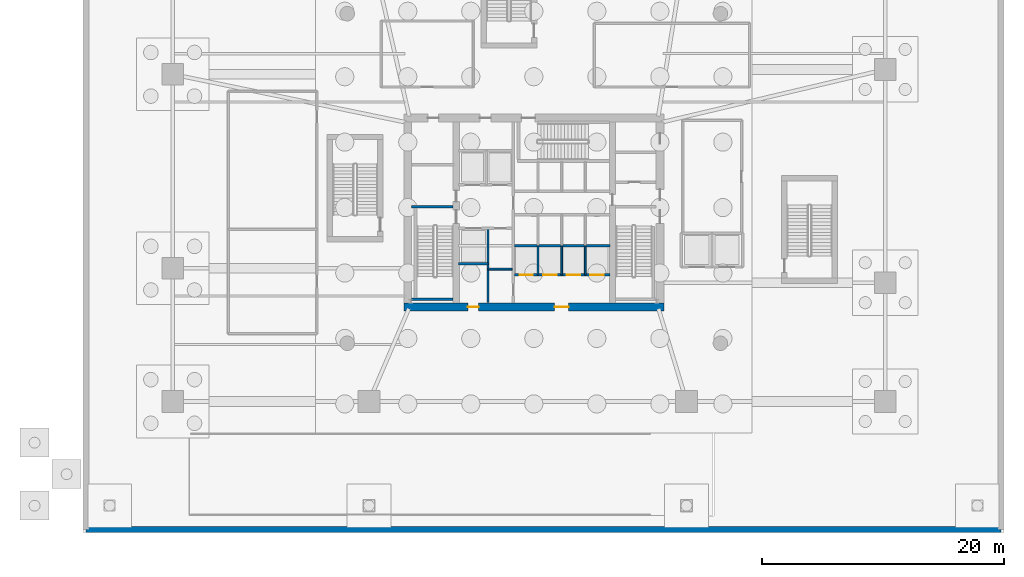
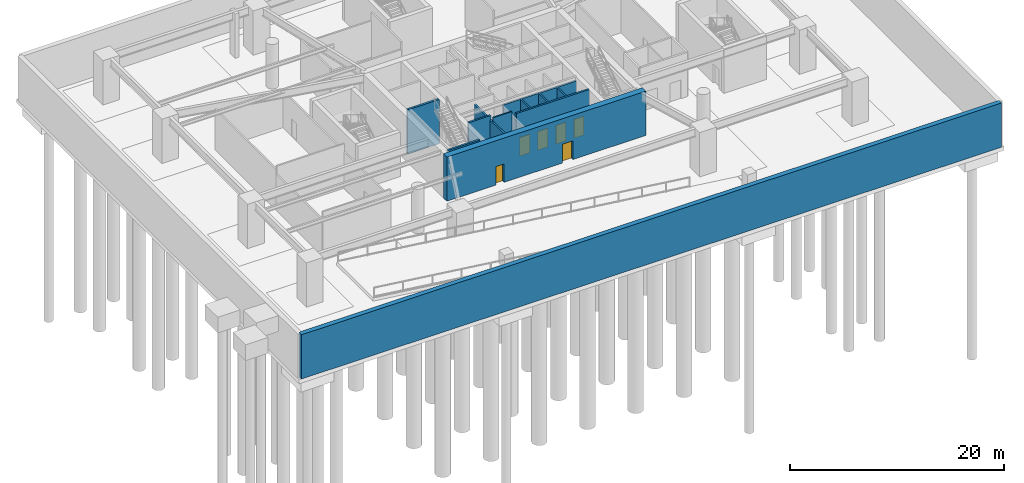
# One storey, part 5 of 11: 12 walls, 6 doors, 6 openings.
"""IFC4 building model written with IfcOpenShell, lengths in metres."""

from ifc_helpers import new_model, si_unit, direction, frame, frame_2d, origin, place, context, subcontext, project, spatial, rectangle, extrude, material, layer, layer_set, type_object, element, fill, save


model = new_model("IFC4")

# Units and contexts
model_context = context("Model", 3, precision=1e-05, world=origin(), true_north=direction((0.0, 1.0)))
body_context = subcontext(model_context, "Body", "Model", "MODEL_VIEW")
ifc_project = project(units=[si_unit("LENGTHUNIT", "METRE"), si_unit("AREAUNIT", "SQUARE_METRE"), si_unit("VOLUMEUNIT", "CUBIC_METRE"), si_unit("PLANEANGLEUNIT", "RADIAN"), si_unit("MASSUNIT", "GRAM", prefix="KILO")], contexts=[model_context])

# Site, building, storey
site_placement = place(None, origin())
site = spatial("IfcSite", under=ifc_project, at=site_placement, CompositionType="ELEMENT")
building_placement = place(site_placement, origin())
building = spatial("IfcBuilding", under=site, at=building_placement, Name="Qarnah Convention Tower", CompositionType="ELEMENT")
storey_placement = place(building_placement, frame((0.0, 0.0, -5.39990234375)))
storey = spatial("IfcBuildingStorey", under=building, at=storey_placement, Name="B1", CompositionType="ELEMENT", Elevation=-5.39990234375)

# Wall, openings, doors
ifc_material_1 = material(Name="Concrete C60/75", Category="concrete")
ifc_layer_1 = layer(ifc_material_1, 0.64990234375)
ifc_layer_set_1 = layer_set([ifc_layer_1], Name="Concrete C60/75")
wall_type_1 = type_object("IfcWallType", Name="WL-CORE-650", PredefinedType="SHEAR", material=ifc_layer_set_1)
wall_1_placement = place(storey_placement, frame((26.47509765625, 18.60009765625, 0.0), z_axis=(0.0, 0.0, 1.0), x_axis=(1.0, 0.0, 0.0)))
wall_1 = element("IfcWall", 1, at=wall_1_placement, inside=storey, type_object=wall_type_1, Name="B1 core south shear wall", PredefinedType="SHEAR", context=body_context, shape_type="SweptSolid", body=[
    extrude(rectangle(XDim=21.449951171875, YDim=0.64990234375, at=frame_2d((10.72509765625, 0.0))), origin(), (0.0, 0.0, 1.0), 5.0498046875),
])
opening_1_placement = place(wall_1_placement, frame((12.449951171875, 0.0, 0.0)))
opening_1 = element("IfcOpeningElement", 2, at=opening_1_placement, cuts=wall_1, Name="Opening D-B107", PredefinedType="OPENING", context=body_context, shape_type="SweptSolid", body=[
    extrude(rectangle(XDim=1.14990234375, YDim=2.14990234375, at=frame_2d((0.574951171875, 1.074951171875))), frame((0.0, 0.3349609375, 0.0), z_axis=(0.0, -1.0, 0.0), x_axis=(1.0, 0.0, 0.0)), (0.0, 0.0, 1.0), 0.669921875),
])
opening_2_placement = place(wall_1_placement, frame((5.27490234375, 0.0, 0.0)))
opening_2 = element("IfcOpeningElement", 3, at=opening_2_placement, cuts=wall_1, Name="Opening D-B113", PredefinedType="OPENING", context=body_context, shape_type="SweptSolid", body=[
    extrude(rectangle(XDim=0.89990234375, YDim=2.10009765625, at=frame_2d((0.449951171875, 1.050048828125))), frame((0.0, 0.3349609375, 0.0), z_axis=(0.0, -1.0, 0.0), x_axis=(1.0, 0.0, 0.0)), (0.0, 0.0, 1.0), 0.669921875),
])
ifc_material_2 = material(Name="Structural steel S355JR", Category="steel")
door_type_1 = type_object("IfcDoorType", Name="DT-LOBBY-1150", OperationType="NOTDEFINED", PredefinedType="DOOR", material=ifc_material_2)
door_1_placement = place(opening_1_placement, origin())
door_1 = element("IfcDoor", 4, at=door_1_placement, inside=storey, type_object=door_type_1, Name="Door D-B107", OperationType="SINGLE_SWING_LEFT", OverallHeight=2.14990234375, OverallWidth=1.14990234375, PredefinedType="DOOR", context=body_context, shape_type="SweptSolid", body=[
    extrude(rectangle(XDim=1.14990234375, YDim=2.14990234375, at=frame_2d((0.574951171875, 1.074951171875))), frame((0.0, 0.02490234375, 0.0), z_axis=(0.0, -1.0, 0.0), x_axis=(1.0, 0.0, 0.0)), (0.0, 0.0, 1.0), 0.050048828125),
])
fill(opening_1, door_1)
door_type_2 = type_object("IfcDoorType", Name="DT-RISER-900", OperationType="NOTDEFINED", PredefinedType="DOOR", material=ifc_material_2)
door_2_placement = place(opening_2_placement, origin())
door_2 = element("IfcDoor", 5, at=door_2_placement, inside=storey, type_object=door_type_2, Name="Door D-B113", OperationType="SINGLE_SWING_LEFT", OverallHeight=2.10009765625, OverallWidth=0.89990234375, PredefinedType="DOOR", context=body_context, shape_type="SweptSolid", body=[
    extrude(rectangle(XDim=0.89990234375, YDim=2.10009765625, at=frame_2d((0.449951171875, 1.050048828125))), frame((0.0, 0.02490234375, 0.0), z_axis=(0.0, -1.0, 0.0), x_axis=(1.0, 0.0, 0.0)), (0.0, 0.0, 1.0), 0.050048828125),
])
fill(opening_2, door_2)

# Walls
ifc_material_3 = material(Name="Concrete C45/55", Category="concrete")
ifc_layer_2 = layer(ifc_material_3, 0.199951171875)
ifc_layer_set_2 = layer_set([ifc_layer_2], Name="Concrete C45/55")
wall_type_2 = type_object("IfcWallType", Name="WL-CORE-PART-200", PredefinedType="SOLIDWALL", material=ifc_layer_set_2)
wall_2_placement = place(storey_placement, frame((33.419921875, 18.949951171875, 0.0), z_axis=(0.0, 0.0, 1.0), x_axis=(0.0, 1.0, 0.0)))
element("IfcWall", 6, at=wall_2_placement, inside=storey, type_object=wall_type_2, Name="B1 interior wall IW-B1-SVLE", PredefinedType="SOLIDWALL", context=body_context, shape_type="SweptSolid", body=[
    extrude(rectangle(XDim=6.130126953125, YDim=0.199951171875, at=frame_2d((3.06494140625, 0.0))), origin(), (0.0, 0.0, 1.0), 4.57080078125),
])
wall_3_placement = place(storey_placement, frame((31.0, 22.179931640625, 0.0), z_axis=(0.0, 0.0, 1.0), x_axis=(1.0, 0.0, 0.0)))
element("IfcWall", 7, at=wall_3_placement, inside=storey, type_object=wall_type_2, Name="B1 interior wall IW-B1-SVLS", PredefinedType="SOLIDWALL", context=body_context, shape_type="SweptSolid", body=[
    extrude(rectangle(XDim=2.419921875, YDim=0.199951171875, at=frame_2d((1.2099609375, 0.0))), origin(), (0.0, 0.0, 1.0), 5.0498046875),
])
wall_4_placement = place(storey_placement, frame((35.6201171875, 23.64990234375, 0.0), z_axis=(0.0, 0.0, 1.0), x_axis=(1.0, 0.0, 0.0)))
element("IfcWall", 8, at=wall_4_placement, inside=storey, type_object=wall_type_2, Name="B1 interior wall IW-B1-PMPL", PredefinedType="SOLIDWALL", context=body_context, shape_type="SweptSolid", body=[
    extrude(rectangle(XDim=7.8798828125, YDim=0.199951171875, at=frame_2d((3.93994140625, 0.0))), origin(), (0.0, 0.0, 1.0), 4.57080078125),
])

# Wall, openings, doors
wall_5_placement = place(storey_placement, frame((35.6201171875, 21.25, 0.0), z_axis=(0.0, 0.0, 1.0), x_axis=(1.0, 0.0, 0.0)))
wall_5 = element("IfcWall", 9, at=wall_5_placement, inside=storey, type_object=wall_type_2, Name="B1 interior wall IW-B1-PLS", PredefinedType="SOLIDWALL", context=body_context, shape_type="SweptSolid", body=[
    extrude(rectangle(XDim=7.8798828125, YDim=0.199951171875, at=frame_2d((3.93994140625, 0.0))), origin(), (0.0, 0.0, 1.0), 5.0498046875),
])
opening_3_placement = place(wall_5_placement, frame((0.405029296875, 0.0, 0.0)))
opening_3 = element("IfcOpeningElement", 10, at=opening_3_placement, cuts=wall_5, Name="Opening LD-B104", PredefinedType="OPENING", context=body_context, shape_type="SweptSolid", body=[
    extrude(rectangle(XDim=1.10009765625, YDim=2.14990234375, at=frame_2d((0.550048828125, 1.074951171875))), frame((0.0, 0.10986328125, 0.0), z_axis=(0.0, -1.0, 0.0), x_axis=(1.0, 0.0, 0.0)), (0.0, 0.0, 1.0), 0.219970703125),
])
opening_4_placement = place(wall_5_placement, frame((2.35498046875, 0.0, 0.0)))
opening_4 = element("IfcOpeningElement", 11, at=opening_4_placement, cuts=wall_5, Name="Opening LD-B105", PredefinedType="OPENING", context=body_context, shape_type="SweptSolid", body=[
    extrude(rectangle(XDim=1.10009765625, YDim=2.14990234375, at=frame_2d((0.550048828125, 1.074951171875))), frame((0.0, 0.10986328125, 0.0), z_axis=(0.0, -1.0, 0.0), x_axis=(1.0, 0.0, 0.0)), (0.0, 0.0, 1.0), 0.219970703125),
])
opening_5_placement = place(wall_5_placement, frame((4.304931640625, 0.0, 0.0)))
opening_5 = element("IfcOpeningElement", 12, at=opening_5_placement, cuts=wall_5, Name="Opening LD-B106", PredefinedType="OPENING", context=body_context, shape_type="SweptSolid", body=[
    extrude(rectangle(XDim=1.10009765625, YDim=2.14990234375, at=frame_2d((0.550048828125, 1.074951171875))), frame((0.0, 0.10986328125, 0.0), z_axis=(0.0, -1.0, 0.0), x_axis=(1.0, 0.0, 0.0)), (0.0, 0.0, 1.0), 0.219970703125),
])
opening_6_placement = place(wall_5_placement, frame((6.2548828125, 0.0, 0.0)))
opening_6 = element("IfcOpeningElement", 13, at=opening_6_placement, cuts=wall_5, Name="Opening LD-B107", PredefinedType="OPENING", context=body_context, shape_type="SweptSolid", body=[
    extrude(rectangle(XDim=1.10009765625, YDim=2.14990234375, at=frame_2d((0.550048828125, 1.074951171875))), frame((0.0, 0.10986328125, 0.0), z_axis=(0.0, -1.0, 0.0), x_axis=(1.0, 0.0, 0.0)), (0.0, 0.0, 1.0), 0.219970703125),
])
door_type_3 = type_object("IfcDoorType", Name="DT-LIFT-1100", OperationType="SLIDING_TO_LEFT", PredefinedType="DOOR", material=ifc_material_2)
door_3_placement = place(opening_3_placement, origin())
door_3 = element("IfcDoor", 14, at=door_3_placement, inside=storey, type_object=door_type_3, Name="Door LD-B104", OperationType="SLIDING_TO_LEFT", OverallHeight=2.14990234375, OverallWidth=1.10009765625, PredefinedType="DOOR", context=body_context, shape_type="SweptSolid", body=[
    extrude(rectangle(XDim=1.10009765625, YDim=2.14990234375, at=frame_2d((0.550048828125, 1.074951171875))), frame((0.0, 0.02490234375, 0.0), z_axis=(0.0, -1.0, 0.0), x_axis=(1.0, 0.0, 0.0)), (0.0, 0.0, 1.0), 0.050048828125),
])
fill(opening_3, door_3)
door_4_placement = place(opening_4_placement, origin())
door_4 = element("IfcDoor", 15, at=door_4_placement, inside=storey, type_object=door_type_3, Name="Door LD-B105", OperationType="SLIDING_TO_LEFT", OverallHeight=2.14990234375, OverallWidth=1.10009765625, PredefinedType="DOOR", context=body_context, shape_type="SweptSolid", body=[
    extrude(rectangle(XDim=1.10009765625, YDim=2.14990234375, at=frame_2d((0.550048828125, 1.074951171875))), frame((0.0, 0.02490234375, 0.0), z_axis=(0.0, -1.0, 0.0), x_axis=(1.0, 0.0, 0.0)), (0.0, 0.0, 1.0), 0.050048828125),
])
fill(opening_4, door_4)
door_5_placement = place(opening_5_placement, origin())
door_5 = element("IfcDoor", 16, at=door_5_placement, inside=storey, type_object=door_type_3, Name="Door LD-B106", OperationType="SLIDING_TO_LEFT", OverallHeight=2.14990234375, OverallWidth=1.10009765625, PredefinedType="DOOR", context=body_context, shape_type="SweptSolid", body=[
    extrude(rectangle(XDim=1.10009765625, YDim=2.14990234375, at=frame_2d((0.550048828125, 1.074951171875))), frame((0.0, 0.02490234375, 0.0), z_axis=(0.0, -1.0, 0.0), x_axis=(1.0, 0.0, 0.0)), (0.0, 0.0, 1.0), 0.050048828125),
])
fill(opening_5, door_5)
door_6_placement = place(opening_6_placement, origin())
door_6 = element("IfcDoor", 17, at=door_6_placement, inside=storey, type_object=door_type_3, Name="Door LD-B107", OperationType="SLIDING_TO_LEFT", OverallHeight=2.14990234375, OverallWidth=1.10009765625, PredefinedType="DOOR", context=body_context, shape_type="SweptSolid", body=[
    extrude(rectangle(XDim=1.10009765625, YDim=2.14990234375, at=frame_2d((0.550048828125, 1.074951171875))), frame((0.0, 0.02490234375, 0.0), z_axis=(0.0, -1.0, 0.0), x_axis=(1.0, 0.0, 0.0)), (0.0, 0.0, 1.0), 0.050048828125),
])
fill(opening_6, door_6)

# Walls
ifc_layer_3 = layer(ifc_material_1, 0.219970703125)
ifc_layer_set_3 = layer_set([ifc_layer_3], Name="Concrete C60/75")
wall_type_3 = type_object("IfcWallType", Name="WL-CORE-STAIR-220", PredefinedType="SHEAR", material=ifc_layer_set_3)
for number, where, z_axis, x_axis, name in (
    (18, (27.125, 26.860107421875, 0.0), (0.0, 0.0, 1.0), (1.0, 0.0, 0.0), "B1 stair shaft shear wall SW-B1-ST1N"),
    (19, (27.125, 19.239990234375, 0.0), (0.0, 0.0, 1.0), (1.0, 0.0, 0.0), "B1 stair shaft shear wall SW-B1-ST1S"),
):
    element("IfcWall", number, at=place(storey_placement, frame(where, z_axis=z_axis, x_axis=x_axis)), inside=storey, type_object=wall_type_3, Name=name, PredefinedType="SHEAR", context=body_context, shape_type="SweptSolid", body=[
        extrude(rectangle(XDim=3.425048828125, YDim=0.219970703125, at=frame_2d((1.71240234375, 0.0))), origin(), (0.0, 0.0, 1.0), 5.0498046875),
    ])
ifc_material_4 = material(Name="Concrete C50/60", Category="concrete")
ifc_layer_4 = layer(ifc_material_4, 0.5)
ifc_layer_set_4 = layer_set([ifc_layer_4], Name="Concrete C50/60")
wall_type_4 = type_object("IfcWallType", Name="WL-RET-500", PredefinedType="USERDEFINED", material=ifc_layer_set_4)
wall_6_placement = place(storey_placement, frame((0.25, 0.25, 0.0), z_axis=(0.0, 0.0, 1.0), x_axis=(1.0, 0.0, 0.0)))
element("IfcWall", 20, at=wall_6_placement, inside=storey, type_object=wall_type_4, Name="Basement perimeter retaining wall S", ObjectType="RETAININGWALL", PredefinedType="USERDEFINED", context=body_context, shape_type="SweptSolid", body=[
    extrude(rectangle(XDim=75.5, YDim=0.5, at=frame_2d((37.75, 0.0))), origin(), (0.0, 0.0, 1.0), 5.0498046875),
])
ifc_material_5 = material(Name="Gypsum partition board")
ifc_layer_5 = layer(ifc_material_5, 0.14990234375)
ifc_layer_set_5 = layer_set([ifc_layer_5], Name="Gypsum partition board")
wall_type_5 = type_object("IfcWallType", Name="WL-SUITE-150", PredefinedType="PARTITIONING", material=ifc_layer_set_5)
wall_7_placement = place(storey_placement, frame((33.419921875, 21.719970703125, 0.0), z_axis=(0.0, 0.0, 1.0), x_axis=(1.0, 0.0, 0.0)))
element("IfcWall", 21, at=wall_7_placement, inside=storey, type_object=wall_type_5, Name="B1 interior wall IW-B1-CSV1", PredefinedType="PARTITIONING", context=body_context, shape_type="SweptSolid", body=[
    extrude(rectangle(XDim=2.0, YDim=0.14990234375, at=frame_2d((1.0, 0.0))), origin(), (0.0, 0.0, 1.0), 5.0498046875),
])
for number, where, z_axis, x_axis, name in (
    (22, (37.550048828125, 21.25, 0.0), (0.0, 0.0, 1.0), (0.0, 1.0, 0.0), "B1 interior wall IW-B1-PLD1"),
    (23, (39.5, 21.25, 0.0), (0.0, 0.0, 1.0), (0.0, 1.0, 0.0), "B1 interior wall IW-B1-PLD2"),
    (24, (41.449951171875, 21.25, 0.0), (0.0, 0.0, 1.0), (0.0, 1.0, 0.0), "B1 interior wall IW-B1-PLD3"),
):
    element("IfcWall", number, at=place(storey_placement, frame(where, z_axis=z_axis, x_axis=x_axis)), inside=storey, type_object=wall_type_5, Name=name, PredefinedType="PARTITIONING", context=body_context, shape_type="SweptSolid", body=[
        extrude(rectangle(XDim=2.39990234375, YDim=0.14990234375, at=frame_2d((1.199951171875, 0.0))), origin(), (0.0, 0.0, 1.0), 4.57080078125),
    ])

save(model, "model.ifc")
